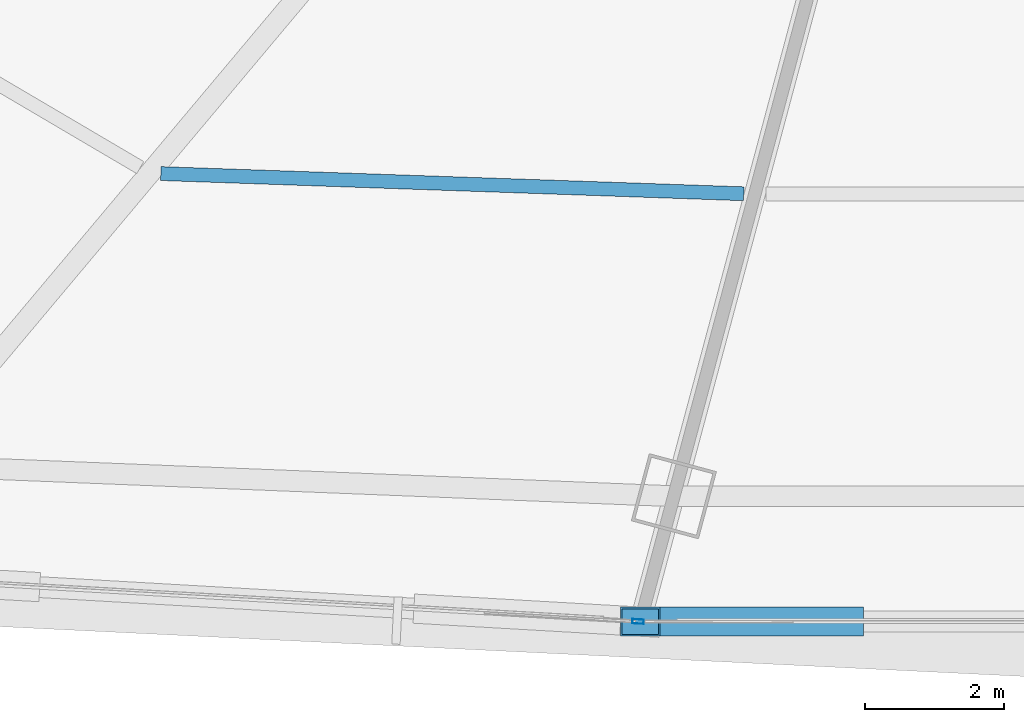
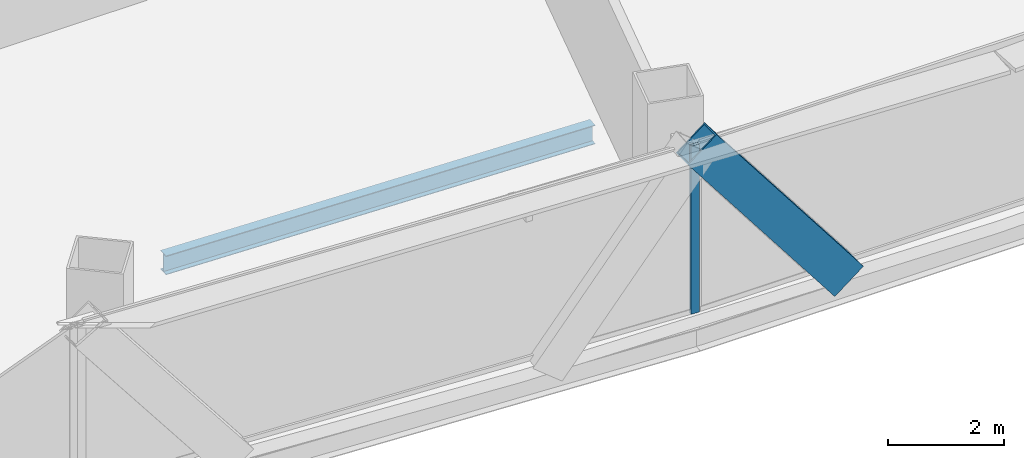
# One storey, part 8 of 39: 2 members, 1 beam, 1 element without a shape of its own.
"""IFC4 building model written with IfcOpenShell, lengths in metres."""

import ifcopenshell
import ifcopenshell.guid

model = None  # the IFC model being written
_history = None  # IfcOwnerHistory: only IFC2X3 demands one
_inside = {}  # id of a spatial element -> (the spatial element, [elements in it])
_under = {}  # id of a project, library or spatial element -> (it, [spatial elements below it])
_declared = {}  # id of a project -> (the project, [libraries it declares])
_typed = {}  # id of a type object -> (the type object, [elements of that type])
_made_of = {}  # id of a material, layer set ... -> (it, [elements and type objects made of it])


def new_model(schema):
    """Start an empty IFC model of exactly this schema.

    Asked for "IFC4X3", IfcOpenShell would pick the latest addendum, in which some entities
    have other attributes; the version numbers below select the first issue.
    IFC2X3 requires an IfcOwnerHistory on every rooted entity: one is made here for all.
    """
    global model, _history
    if schema == "IFC4X3":
        model = ifcopenshell.file(schema_version=(4, 3, 0, 0))
    else:
        model = ifcopenshell.file(schema=schema)
    _inside.clear()
    _under.clear()
    _declared.clear()
    _typed.clear()
    _made_of.clear()
    _history = None
    if model.schema == "IFC2X3":
        org = make("IfcOrganization", Name="unknown")
        user = make(
            "IfcPersonAndOrganization",
            ThePerson=make("IfcPerson", FamilyName="unknown"),
            TheOrganization=org,
        )
        app = make(
            "IfcApplication",
            ApplicationDeveloper=org,
            Version="unknown",
            ApplicationFullName="unknown",
            ApplicationIdentifier="unknown",
        )
        _history = make(
            "IfcOwnerHistory",
            OwningUser=user,
            OwningApplication=app,
            ChangeAction="ADDED",
            CreationDate=0,
        )
    return model


def make(cls, **values):
    """One entity of the class cls with the attributes given. An attribute that is None is left unset."""
    return model.create_entity(
        cls, **{name: value for name, value in values.items() if value is not None}
    )


def rooted(cls, **values):
    """An entity with a GlobalId (a new one), such as an element, a storey or a relation."""
    return make(cls, GlobalId=ifcopenshell.guid.new(), OwnerHistory=_history, **values)


def si_unit(unit_type, name, prefix=None):
    """IfcSIUnit, for example si_unit("LENGTHUNIT", "METRE", prefix="MILLI")."""
    return make("IfcSIUnit", UnitType=unit_type, Prefix=prefix, Name=name)


def assignment(units):
    """IfcUnitAssignment: the units of a project."""
    return None if units is None else make("IfcUnitAssignment", Units=units)


def point(xyz):
    """IfcCartesianPoint."""
    return None if xyz is None else make("IfcCartesianPoint", Coordinates=xyz)


def direction(xyz):
    """IfcDirection."""
    return None if xyz is None else make("IfcDirection", DirectionRatios=xyz)


def frame(location, z_axis=None, x_axis=None):
    """IfcAxis2Placement3D, a coordinate frame: its origin and axes. An axis left out is left unset."""
    return make(
        "IfcAxis2Placement3D",
        Location=point(location),
        Axis=direction(z_axis),
        RefDirection=direction(x_axis),
    )


def frame_2d(location, x_axis=None):
    """IfcAxis2Placement2D, a coordinate frame in the plane: its origin and x axis."""
    return make(
        "IfcAxis2Placement2D", Location=point(location), RefDirection=direction(x_axis)
    )


def origin():
    """The frame at (0, 0, 0) with its axes left unset."""
    return frame((0.0, 0.0, 0.0))


def origin_2d():
    """The frame at (0, 0) in the plane with its x axis left unset."""
    return frame_2d((0.0, 0.0))


def place(relative_to, where):
    """IfcLocalPlacement: puts the frame where relative to a parent placement (None: the world)."""
    return make(
        "IfcLocalPlacement", PlacementRelTo=relative_to, RelativePlacement=where
    )


def context(
    kind, dimensions, precision=None, world=None, true_north=None, identifier=None
):
    """IfcGeometricRepresentationContext, for example the 3D "Model" context."""
    return make(
        "IfcGeometricRepresentationContext",
        ContextIdentifier=identifier,
        ContextType=kind,
        CoordinateSpaceDimension=dimensions,
        Precision=precision,
        WorldCoordinateSystem=world,
        TrueNorth=true_north,
    )


def subcontext(parent, identifier, kind, view, scale=None):
    """IfcGeometricRepresentationSubContext, for example "Body" below "Model"."""
    return make(
        "IfcGeometricRepresentationSubContext",
        ContextIdentifier=identifier,
        ContextType=kind,
        ParentContext=parent,
        TargetScale=scale,
        TargetView=view,
    )


def project(units=None, contexts=None):
    """IfcProject with its units and contexts."""
    return rooted(
        "IfcProject",
        Name="project",
        RepresentationContexts=contexts,
        UnitsInContext=assignment(units),
    )


def spatial(cls, under=None, at=None, **own):
    """A site, building, storey or space (cls), placed at a placement, below another one or the project."""
    s = rooted(cls, ObjectPlacement=at, **own)
    if under is not None:
        _under.setdefault(under.id(), (under, []))[1].append(s)
    return s


def profile(cls, at=None, kind="AREA", **sizes):
    """A parametric profile (cls). Its sizes go by their IFC names, for example OverallWidth=200.0."""
    return make(cls, ProfileType=kind, Position=at, **sizes)


def hollow_rectangle(**sizes):
    """IfcRectangleHollowProfileDef."""
    return profile("IfcRectangleHollowProfileDef", **sizes)


def i_section(**sizes):
    """IfcIShapeProfileDef."""
    return profile("IfcIShapeProfileDef", **sizes)


def extrude(swept, where, along, depth):
    """IfcExtrudedAreaSolid: the profile swept, set in the frame where, extruded along a direction by depth."""
    return make(
        "IfcExtrudedAreaSolid",
        SweptArea=swept,
        Position=where,
        ExtrudedDirection=direction(along),
        Depth=depth,
    )


def shape(context_of_items, identifier, shape_type, items):
    """IfcShapeRepresentation: the items that make up one representation, for example the "Body"."""
    return make(
        "IfcShapeRepresentation",
        ContextOfItems=context_of_items,
        RepresentationIdentifier=identifier,
        RepresentationType=shape_type,
        Items=items,
    )


def source(mapping_origin, context_of_items, identifier, shape_type, items):
    """IfcRepresentationMap: a shape defined once, which mapped items show again and again."""
    return make(
        "IfcRepresentationMap",
        MappingOrigin=mapping_origin,
        MappedRepresentation=shape(context_of_items, identifier, shape_type, items),
    )


def transform(
    local_origin,
    x_axis=None,
    y_axis=None,
    z_axis=None,
    scale=None,
    scale2=None,
    scale3=None,
    uniform=True,
):
    """IfcCartesianTransformationOperator3D, or its non-uniform kind. x_axis, y_axis, z_axis: its Axis1, 2, 3."""
    if uniform:
        return make(
            "IfcCartesianTransformationOperator3D",
            Axis1=direction(x_axis),
            Axis2=direction(y_axis),
            LocalOrigin=point(local_origin),
            Scale=scale,
            Axis3=direction(z_axis),
        )
    return make(
        "IfcCartesianTransformationOperator3DnonUniform",
        Axis1=direction(x_axis),
        Axis2=direction(y_axis),
        LocalOrigin=point(local_origin),
        Scale=scale,
        Axis3=direction(z_axis),
        Scale2=scale2,
        Scale3=scale3,
    )


def mapped(mapping_source, mapping_target):
    """IfcMappedItem: shows the shape of a source again, moved by a transform."""
    return make(
        "IfcMappedItem", MappingSource=mapping_source, MappingTarget=mapping_target
    )


def material(Name=None, Category=None):
    """IfcMaterial."""
    return make("IfcMaterial", Name=Name, Category=Category)


def layer(
    of_material, thickness, ventilated=None, Name=None, Category=None, Priority=None
):
    """IfcMaterialLayer: one layer of a wall or slab, of a material (None: an air gap)."""
    return make(
        "IfcMaterialLayer",
        Material=of_material,
        LayerThickness=thickness,
        IsVentilated=ventilated,
        Name=Name,
        Category=Category,
        Priority=Priority,
    )


def layer_set(layers, Name=None):
    """IfcMaterialLayerSet."""
    return make("IfcMaterialLayerSet", MaterialLayers=layers, LayerSetName=Name)


def material_profile(
    of_material, cross_section, Name=None, Category=None, Priority=None
):
    """IfcMaterialProfile: a cross section and its material."""
    return make(
        "IfcMaterialProfile",
        Name=Name,
        Material=of_material,
        Profile=cross_section,
        Priority=Priority,
        Category=Category,
    )


def profile_set(profiles, Name=None, composite=None):
    """IfcMaterialProfileSet."""
    return make(
        "IfcMaterialProfileSet",
        Name=Name,
        MaterialProfiles=profiles,
        CompositeProfile=composite,
    )


def made_of(thing, what):
    """Note that an element or type object is made of a material, layer set ...; save() writes the relation."""
    if what is not None:
        _made_of.setdefault(what.id(), (what, []))[1].append(thing)
    return thing


def type_object(cls, material=None, **own):
    """A type object (cls), such as IfcWallType, which elements share."""
    return made_of(rooted(cls, **own), material)


def element(
    cls,
    number,
    at=None,
    inside=None,
    cuts=None,
    type_object=None,
    material=None,
    context=None,
    identifier="Body",
    shape_type=None,
    held_by="IfcProductDefinitionShape",
    body=None,
    shapes=None,
    **own,
):
    """One element of the class cls, such as IfcWall. Its Tag is "e" and its number.

    at: its placement. inside: the storey or other place that contains it. cuts: it is an
    opening in that element (IfcRelVoidsElement). A single representation is given by context,
    identifier, shape_type and body (its items); several are given by shapes. held_by: the class
    of the entity that holds the representations. save() writes the other relations.
    """
    e = rooted(cls, Tag="e%d" % number, ObjectPlacement=at, **own)
    if body is not None:
        shapes = [shape(context, identifier, shape_type, body)]
    if shapes is not None:
        e.Representation = make(held_by, Representations=shapes)
    if inside is not None:
        _inside.setdefault(inside.id(), (inside, []))[1].append(e)
    if cuts is not None:
        rooted(
            "IfcRelVoidsElement", RelatingBuildingElement=cuts, RelatedOpeningElement=e
        )
    if type_object is not None:
        _typed.setdefault(type_object.id(), (type_object, []))[1].append(e)
    return made_of(e, material)


def aggregate(whole, parts):
    """IfcRelAggregates: a whole, such as a stair, and the parts it consists of."""
    return rooted("IfcRelAggregates", RelatingObject=whole, RelatedObjects=parts)


def save(model, path):
    """Write the relations noted so far, then the file.

    IfcRelAggregates (storeys below a building ...), IfcRelContainedInSpatialStructure (elements
    in a storey), IfcRelDefinesByType, IfcRelAssociatesMaterial and IfcRelDeclares: one each for
    every whole, place, type object, material and project.
    """
    for whole, parts in _under.values():
        aggregate(whole, parts)
    for where, things in _inside.values():
        rooted(
            "IfcRelContainedInSpatialStructure",
            RelatedElements=things,
            RelatingStructure=where,
        )
    for kind, things in _typed.values():
        rooted("IfcRelDefinesByType", RelatedObjects=things, RelatingType=kind)
    for what, things in _made_of.values():
        rooted("IfcRelAssociatesMaterial", RelatedObjects=things, RelatingMaterial=what)
    for by, libraries in _declared.values():
        rooted("IfcRelDeclares", RelatingContext=by, RelatedDefinitions=libraries)
    model.write(path)


model = new_model("IFC4")

# Units and contexts
model_context = context("Model", 3, precision=1e-05, world=origin(), true_north=direction((0.0, 1.0)))
body_context = subcontext(model_context, "Body", "Model", "MODEL_VIEW")
ifc_project = project(units=[si_unit("LENGTHUNIT", "METRE"), si_unit("AREAUNIT", "SQUARE_METRE"), si_unit("VOLUMEUNIT", "CUBIC_METRE"), si_unit("PLANEANGLEUNIT", "RADIAN"), si_unit("MASSUNIT", "GRAM", prefix="KILO"), si_unit("THERMODYNAMICTEMPERATUREUNIT", "KELVIN"), si_unit("POWERUNIT", "WATT")], contexts=[model_context])

# Site, building, storey
site_placement = place(None, origin())
site = spatial("IfcSite", under=ifc_project, at=site_placement, CompositionType="ELEMENT")
building_placement = place(site_placement, origin())
building = spatial("IfcBuilding", under=site, at=building_placement, Name="Yunzhuo Pagoda Commons", CompositionType="ELEMENT")
storey_placement = place(building_placement, frame((0.0, 0.0, 92.580078125)))
storey = spatial("IfcBuildingStorey", under=building, at=storey_placement, Name="L23", CompositionType="ELEMENT", Elevation=92.580078125)

# Beam
ifc_material_1 = material(Name="Structural steel Q355B", Category="steel")
ifc_material_profile_1 = material_profile(ifc_material_1, i_section(OverallWidth=0.199951171875, OverallDepth=0.39990234375, WebThickness=0.008056640625, FlangeThickness=0.012939453125, at=origin_2d()), Name="Structural steel Q355B")
ifc_profile_set_1 = profile_set([ifc_material_profile_1], Name="Structural steel Q355B")
beam_type = type_object("IfcBeamType", Name="B-JS1 Joist HN 400x200x8x13", PredefinedType="JOIST", material=ifc_profile_set_1)
shared_shape_1 = source(origin(), body_context, "Body", "SweptSolid", [
    extrude(i_section(OverallWidth=0.199951171875, OverallDepth=0.39990234375, WebThickness=0.008056640625, FlangeThickness=0.012939453125, at=origin_2d()), origin(), (0.0, 0.0, 1.0), 8.392822265625),
])
beam_placement = place(storey_placement, frame((35.25048828125, 18.310791015625, -0.4599609375), z_axis=(0.999400667027, -0.034616567521, 0.0), x_axis=(0.034616567521, 0.999400667027, 0.0)))
element("IfcBeam", 1, at=beam_placement, inside=storey, type_object=beam_type, Name="L23 composite ring joist 2.1", PredefinedType="JOIST", context=body_context, shape_type="MappedRepresentation", body=[
    mapped(shared_shape_1, transform((0.0, 0.0, 0.0), scale=1.0)),
])

# Member
ifc_material_2 = material(Name="Structural steel Q420B", Category="steel")
ifc_material_profile_2 = material_profile(ifc_material_2, hollow_rectangle(XDim=0.419921875, YDim=0.719970703125, WallThickness=0.028076171875, at=origin_2d()), Name="Structural steel Q420B")
ifc_profile_set_2 = profile_set([ifc_material_profile_2], Name="Structural steel Q420B")
member_type_1 = type_object("IfcMemberType", Name="M-DL1 Brace BOX 720x420x28", PredefinedType="BRACE", material=ifc_profile_set_2)
shared_shape_2 = source(origin(), body_context, "Body", "SweptSolid", [
    extrude(hollow_rectangle(XDim=0.419921875, YDim=0.719970703125, WallThickness=0.028076171875, at=origin_2d()), origin(), (0.0, 0.0, 1.0), 4.795654296875),
])
member_1_placement = place(storey_placement, frame((45.07470703125, 11.8642578125, -0.260009765625), z_axis=(-0.610028081374, 0.0, 0.792379795259), x_axis=(0.0, -1.0, 0.0)))
element("IfcMember", 2, at=member_1_placement, inside=storey, type_object=member_type_1, Name="L23 facade diamond brace F1.2L", PredefinedType="BRACE", context=body_context, shape_type="MappedRepresentation", body=[
    mapped(shared_shape_2, transform((0.0, 0.0, 0.0), scale=1.0)),
])

# Curtain wall, member
ifc_material_3 = material(Name="Anodized aluminium 6063-T6", Category="aluminium")
ifc_layer = layer(ifc_material_3, 0.1650390625)
ifc_layer_set = layer_set([ifc_layer], Name="Anodized aluminium 6063-T6")
curtain_wall_type = type_object("IfcCurtainWallType", Name="CW-LOW Low-Zone Ribbon Curtain Wall", PredefinedType="NOTDEFINED", material=ifc_layer_set)
curtain_wall_placement = place(storey_placement, origin())
curtain_wall = element("IfcCurtainWall", 3, at=curtain_wall_placement, inside=storey, type_object=curtain_wall_type, Name="L23 curtain wall CW-L23-F1B2", PredefinedType="NOTDEFINED")
ifc_material_profile_3 = material_profile(ifc_material_3, hollow_rectangle(XDim=0.06494140625, YDim=0.1650390625, WallThickness=0.00390625, at=origin_2d()), Name="Anodized aluminium 6063-T6")
ifc_profile_set_3 = profile_set([ifc_material_profile_3], Name="Anodized aluminium 6063-T6")
member_type_2 = type_object("IfcMemberType", Name="CW-LOW-M Mullion RHS 165x65x4", PredefinedType="MULLION", material=ifc_profile_set_3)
shared_shape_3 = source(origin(), body_context, "Body", "SweptSolid", [
    extrude(hollow_rectangle(XDim=0.06494140625, YDim=0.1650390625, WallThickness=0.00390625, at=origin_2d()), origin(), (0.0, 0.0, 1.0), 3.5400390625),
])
member_2_placement = place(storey_placement, frame((42.11669921875, 11.865966796875, 0.0), z_axis=(0.0, 0.0, 1.0), x_axis=(0.057299493103, 0.998357034377, 0.0)))
member_2 = element("IfcMember", 4, at=member_2_placement, type_object=member_type_2, Name="CW mullion 2", PredefinedType="MULLION", context=body_context, shape_type="MappedRepresentation", body=[
    mapped(shared_shape_3, transform((0.0, 0.0, 0.0), scale=1.0)),
])
aggregate(curtain_wall, [member_2])

save(model, "model.ifc")
